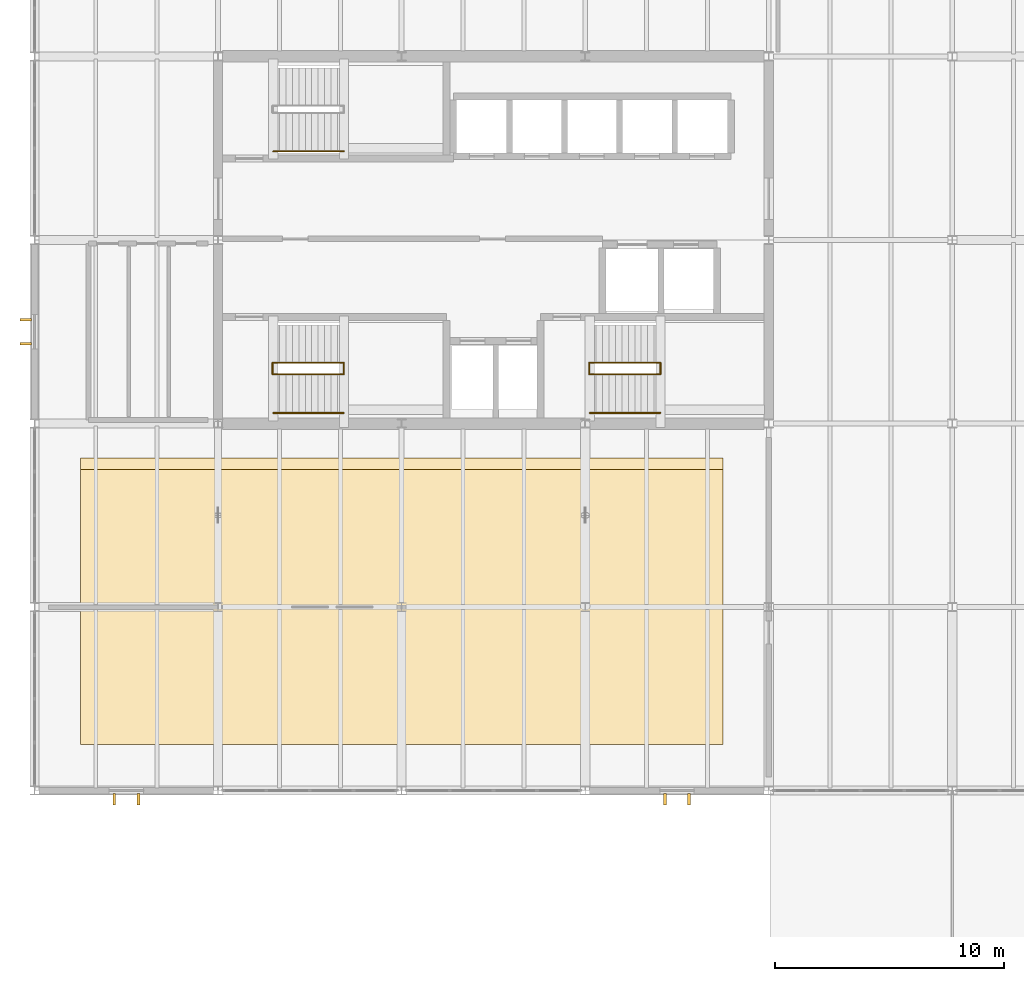
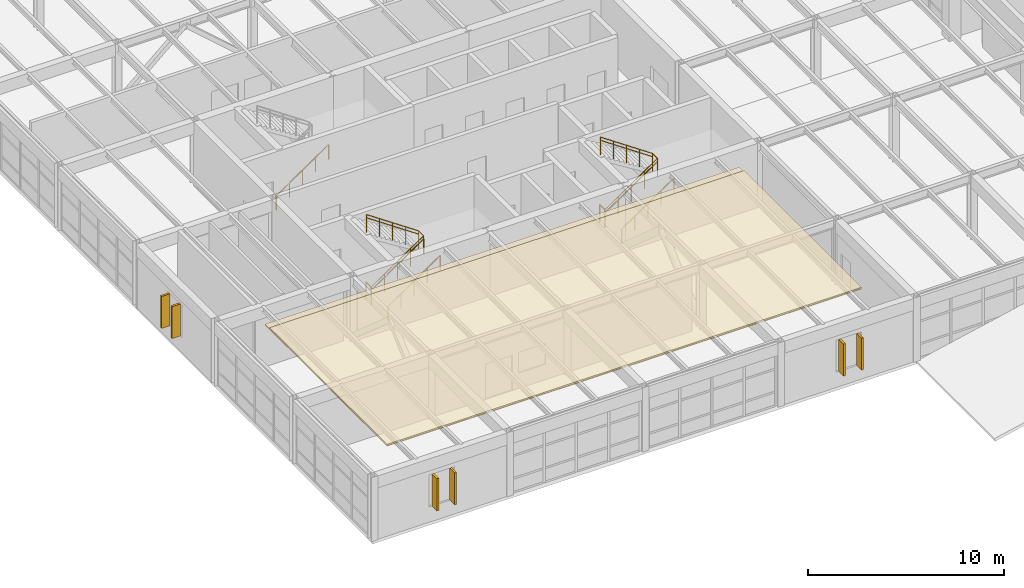
# One storey, part 43 of 48: 13 railings, 6 shading devices, 2 coverings.
"""IFC4 building model written with IfcOpenShell, lengths in metres."""

from ifc_helpers import new_model, si_unit, direction, frame, origin, origin_2d, place, context, subcontext, project, spatial, polyline, rectangle, circle, outline, extrude, material, layer, layer_set, type_object, element, save


model = new_model("IFC4")

# Units and contexts
model_context = context("Model", 3, precision=1e-05, world=origin(), true_north=direction((0.0, 1.0)))
body_context = subcontext(model_context, "Body", "Model", "MODEL_VIEW")
ifc_project = project(units=[si_unit("LENGTHUNIT", "METRE"), si_unit("AREAUNIT", "SQUARE_METRE"), si_unit("VOLUMEUNIT", "CUBIC_METRE"), si_unit("PLANEANGLEUNIT", "RADIAN"), si_unit("MASSUNIT", "GRAM", prefix="KILO")], contexts=[model_context])

# Site, building, storey
site_placement = place(None, origin())
site = spatial("IfcSite", under=ifc_project, at=site_placement, CompositionType="ELEMENT")
building_placement = place(site_placement, origin())
building = spatial("IfcBuilding", under=site, at=building_placement, Name="Varnela Railside Interchange", CompositionType="ELEMENT")
storey_placement = place(building_placement, frame((0.0, 0.0, 11.199951171875)))
storey = spatial("IfcBuildingStorey", under=building, at=storey_placement, Name="L02", CompositionType="ELEMENT", Elevation=11.199951171875)

# Coverings
ifc_material_1 = material(Name="Concrete C40 precast", Category="concrete")
ifc_layer_1 = layer(ifc_material_1, 0.050048828125)
ifc_layer_set_1 = layer_set([ifc_layer_1], Name="Concrete C40 precast")
covering_type_1 = type_object("IfcCoveringType", Name="Board-Formed Concrete Cladding Liner CV-CLD", PredefinedType="CLADDING", material=ifc_layer_set_1)
covering_1_placement = place(storey_placement, frame((0.0, 0.0, 3.8701171875)))
element("IfcCovering", 1, at=covering_1_placement, inside=storey, type_object=covering_type_1, Name="Board-Formed Concrete Cladding Liner CV-CLD", PredefinedType="CLADDING", context=body_context, shape_type="SweptSolid", body=[
    extrude(outline(polyline([(6.0, 40.0), (34.0, 40.0), (34.0, 52.5), (6.0, 52.5), (6.0, 40.0)])), origin(), (0.0, 0.0, 1.0), 0.050048828125),
])
ifc_material_2 = material(Name="Mineral wool acoustic")
ifc_layer_2 = layer(ifc_material_2, 0.080078125)
ifc_layer_set_2 = layer_set([ifc_layer_2], Name="Mineral wool acoustic")
covering_type_2 = type_object("IfcCoveringType", Name="Mineral Wool Soffit Insulation CV-INS", PredefinedType="INSULATION", material=ifc_layer_set_2)
covering_2_placement = place(storey_placement, frame((0.0, 0.0, 3.920166015625)))
element("IfcCovering", 2, at=covering_2_placement, inside=storey, type_object=covering_type_2, Name="Mineral Wool Soffit Insulation CV-INS", PredefinedType="INSULATION", context=body_context, shape_type="SweptSolid", body=[
    extrude(outline(polyline([(6.0, 40.0), (34.0, 40.0), (34.0, 52.0), (6.0, 52.0), (6.0, 40.0)])), origin(), (0.0, 0.0, 1.0), 0.079833984375),
])

# Shading devices
shading_device_type = type_object("IfcShadingDeviceType", Name="Paulista Vertical Brise-Soleil BS-01", PredefinedType="USERDEFINED", material=ifc_material_1)
for number, where, z_axis, x_axis, name in (
    (3, (32.52490234375, 37.614990234375, 0.949951171875), (0.0, 0.0, 1.0), (0.0, -1.0, 0.0), "Paulista Vertical Brise-Soleil BS-01 (L02)"),
    (4, (31.47509765625, 37.614990234375, 0.949951171875), (0.0, 0.0, 1.0), (0.0, -1.0, 0.0), "Paulista Vertical Brise-Soleil BS-01 (L02)"),
    (5, (8.52490234375, 37.614990234375, 0.949951171875), (0.0, 0.0, 1.0), (0.0, -1.0, 0.0), "Paulista Vertical Brise-Soleil BS-01 (L02)"),
    (6, (7.47509765625, 37.614990234375, 0.949951171875), (0.0, 0.0, 1.0), (0.0, -1.0, 0.0), "Paulista Vertical Brise-Soleil BS-01 (L02)"),
    (7, (3.614990234375, 57.47509765625, 0.949951171875), (0.0, 0.0, 1.0), (-1.0, 0.0, 0.0), "Paulista Vertical Brise-Soleil BS-01 (L02)"),
    (8, (3.614990234375, 58.52490234375, 0.949951171875), (0.0, 0.0, 1.0), (-1.0, 0.0, 0.0), "Paulista Vertical Brise-Soleil BS-01 (L02)"),
):
    element("IfcShadingDevice", number, at=place(storey_placement, frame(where, z_axis=z_axis, x_axis=x_axis)), inside=storey, type_object=shading_device_type, Name=name, ObjectType="FIN", PredefinedType="USERDEFINED", context=body_context, shape_type="SweptSolid", body=[
        extrude(rectangle(XDim=0.5, YDim=0.1201171875, at=origin_2d()), origin(), (0.0, 0.0, 1.0), 2.0),
    ])

# Railings
ifc_material_3 = material(Name="Steel AR 350 (350 MPa)", Category="steel")
railing_type_1 = type_object("IfcRailingType", Name="Stair & Ramp Pitch Handrail HR-01", PredefinedType="HANDRAIL", material=ifc_material_3)
railing_1_placement = place(storey_placement, frame((14.39990234375, 56.14990234375, 0.0)))
element("IfcRailing", 9, at=railing_1_placement, inside=storey, type_object=railing_type_1, Name="Stair Handrail ST-T1 Flight 1 (RL-0360)", PredefinedType="HANDRAIL", context=body_context, shape_type="SweptSolid", body=[
    extrude(circle(Radius=0.02392578125, at=origin_2d()), frame((0.0, 0.0, 0.89599609375), z_axis=(0.826221800596, 0.0, 0.563344953133), x_axis=(0.0, 1.0, 0.0)), (0.0, 0.0, 1.0), 3.72802734375),
    extrude(circle(Radius=0.02099609375, at=origin_2d()), origin(), (0.0, 0.0, 1.0), 0.871826171875),
    extrude(circle(Radius=0.02099609375, at=origin_2d()), frame((0.77001953125, 0.0, 0.52490234375)), (0.0, 0.0, 1.0), 0.871826171875),
    extrude(circle(Radius=0.02099609375, at=origin_2d()), frame((1.5400390625, 0.0, 1.050048828125)), (0.0, 0.0, 1.0), 0.871826171875),
    extrude(circle(Radius=0.02099609375, at=origin_2d()), frame((2.31005859375, 0.0, 1.5751953125)), (0.0, 0.0, 1.0), 0.871826171875),
    extrude(circle(Radius=0.02099609375, at=origin_2d()), frame((3.080078125, 0.0, 2.10009765625)), (0.0, 0.0, 1.0), 0.871826171875),
])
railing_2_placement = place(storey_placement, frame((17.47998046875, 56.64990234375, 2.10009765625)))
element("IfcRailing", 10, at=railing_2_placement, inside=storey, type_object=railing_type_1, Name="Stair Handrail ST-T1 Flight 2 (RL-0361)", PredefinedType="HANDRAIL", context=body_context, shape_type="SweptSolid", body=[
    extrude(circle(Radius=0.02392578125, at=origin_2d()), frame((0.0, 0.0, 0.89599609375), z_axis=(-0.826252282691, 0.0, 0.563300244406), x_axis=(0.0, -1.0, 0.0)), (0.0, 0.0, 1.0), 3.727783203125),
    extrude(circle(Radius=0.02099609375, at=origin_2d()), origin(), (0.0, 0.0, 1.0), 0.871826171875),
    extrude(circle(Radius=0.02099609375, at=origin_2d()), frame((-0.77001953125, 0.0, 0.52490234375)), (0.0, 0.0, 1.0), 0.871826171875),
    extrude(circle(Radius=0.02099609375, at=origin_2d()), frame((-1.5400390625, 0.0, 1.0498046875)), (0.0, 0.0, 1.0), 0.871826171875),
    extrude(circle(Radius=0.02099609375, at=origin_2d()), frame((-2.31005859375, 0.0, 1.574951171875)), (0.0, 0.0, 1.0), 0.871826171875),
    extrude(circle(Radius=0.02099609375, at=origin_2d()), frame((-3.080078125, 0.0, 2.099853515625)), (0.0, 0.0, 1.0), 0.871826171875),
])
railing_3_placement = place(storey_placement, frame((28.199951171875, 56.14990234375, 0.0)))
element("IfcRailing", 11, at=railing_3_placement, inside=storey, type_object=railing_type_1, Name="Stair Handrail ST-T2 Flight 1 (RL-0362)", PredefinedType="HANDRAIL", context=body_context, shape_type="SweptSolid", body=[
    extrude(circle(Radius=0.02392578125, at=origin_2d()), frame((0.0, 0.0, 0.89599609375), z_axis=(0.826221800596, 0.0, 0.563344953133), x_axis=(0.0, 1.0, 0.0)), (0.0, 0.0, 1.0), 3.72802734375),
    extrude(circle(Radius=0.02099609375, at=origin_2d()), origin(), (0.0, 0.0, 1.0), 0.871826171875),
    extrude(circle(Radius=0.02099609375, at=origin_2d()), frame((0.77001953125, 0.0, 0.52490234375)), (0.0, 0.0, 1.0), 0.871826171875),
    extrude(circle(Radius=0.02099609375, at=origin_2d()), frame((1.5400390625, 0.0, 1.050048828125)), (0.0, 0.0, 1.0), 0.871826171875),
    extrude(circle(Radius=0.02099609375, at=origin_2d()), frame((2.31005859375, 0.0, 1.5751953125)), (0.0, 0.0, 1.0), 0.871826171875),
    extrude(circle(Radius=0.02099609375, at=origin_2d()), frame((3.080078125, 0.0, 2.10009765625)), (0.0, 0.0, 1.0), 0.871826171875),
])
railing_4_placement = place(storey_placement, frame((31.280029296875, 56.64990234375, 2.10009765625)))
element("IfcRailing", 12, at=railing_4_placement, inside=storey, type_object=railing_type_1, Name="Stair Handrail ST-T2 Flight 2 (RL-0363)", PredefinedType="HANDRAIL", context=body_context, shape_type="SweptSolid", body=[
    extrude(circle(Radius=0.02392578125, at=origin_2d()), frame((0.0, 0.0, 0.89599609375), z_axis=(-0.826252282691, 0.0, 0.563300244406), x_axis=(0.0, -1.0, 0.0)), (0.0, 0.0, 1.0), 3.727783203125),
    extrude(circle(Radius=0.02099609375, at=origin_2d()), origin(), (0.0, 0.0, 1.0), 0.871826171875),
    extrude(circle(Radius=0.02099609375, at=origin_2d()), frame((-0.77001953125, 0.0, 0.52490234375)), (0.0, 0.0, 1.0), 0.871826171875),
    extrude(circle(Radius=0.02099609375, at=origin_2d()), frame((-1.5400390625, 0.0, 1.0498046875)), (0.0, 0.0, 1.0), 0.871826171875),
    extrude(circle(Radius=0.02099609375, at=origin_2d()), frame((-2.31005859375, 0.0, 1.574951171875)), (0.0, 0.0, 1.0), 0.871826171875),
    extrude(circle(Radius=0.02099609375, at=origin_2d()), frame((-3.080078125, 0.0, 2.099853515625)), (0.0, 0.0, 1.0), 0.871826171875),
])
railing_type_2 = type_object("IfcRailingType", Name="Stair Well & Landing Guard GR-02", PredefinedType="GUARDRAIL", material=ifc_material_3)
railing_5_placement = place(storey_placement, frame((14.3701171875, 56.14990234375, 0.0)))
element("IfcRailing", 13, at=railing_5_placement, inside=storey, type_object=railing_type_2, Name="Stair Well Slot Guard ST-T1 on L02 (RL-0343)", PredefinedType="GUARDRAIL", context=body_context, shape_type="SweptSolid", body=[
    extrude(circle(Radius=0.02392578125, at=origin_2d()), frame((0.0, 0.0, 1.09619140625), z_axis=(0.0, 1.0, 0.0), x_axis=(-1.0, 0.0, 0.0)), (0.0, 0.0, 1.0), 0.5),
    extrude(circle(Radius=0.02099609375, at=origin_2d()), origin(), (0.0, 0.0, 1.0), 1.072021484375),
    extrude(circle(Radius=0.02099609375, at=origin_2d()), frame((0.0, 0.5, 0.0)), (0.0, 0.0, 1.0), 1.072021484375),
])
railing_6_placement = place(storey_placement, frame((14.39990234375, 56.14990234375, 0.0)))
element("IfcRailing", 14, at=railing_6_placement, inside=storey, type_object=railing_type_2, Name="Stair Guard ST-T1 Half-Landing (RL-0341)", PredefinedType="GUARDRAIL", context=body_context, shape_type="SweptSolid", body=[
    extrude(circle(Radius=0.02392578125, at=origin_2d()), frame((0.0, 0.0, 1.09619140625), z_axis=(0.826221800596, 0.0, 0.563344953133), x_axis=(0.0, 1.0, 0.0)), (0.0, 0.0, 1.0), 3.72802734375),
    extrude(circle(Radius=0.02392578125, at=origin_2d()), frame((3.080078125, 0.0, 3.1962890625), z_axis=(0.0, 1.0, 0.0), x_axis=(-1.0, 0.0, 0.0)), (0.0, 0.0, 1.0), 0.5),
    extrude(circle(Radius=0.02099609375, at=origin_2d()), origin(), (0.0, 0.0, 1.0), 1.072021484375),
    extrude(circle(Radius=0.02099609375, at=origin_2d()), frame((0.77001953125, 0.0, 0.52490234375)), (0.0, 0.0, 1.0), 1.072021484375),
    extrude(circle(Radius=0.02099609375, at=origin_2d()), frame((1.5400390625, 0.0, 1.050048828125)), (0.0, 0.0, 1.0), 1.072021484375),
    extrude(circle(Radius=0.02099609375, at=origin_2d()), frame((2.31005859375, 0.0, 1.5751953125)), (0.0, 0.0, 1.0), 1.072021484375),
    extrude(circle(Radius=0.02099609375, at=origin_2d()), frame((3.080078125, 0.0, 2.10009765625)), (0.0, 0.0, 1.0), 1.072021484375),
    extrude(circle(Radius=0.02099609375, at=origin_2d()), frame((3.080078125, 0.5, 2.10009765625)), (0.0, 0.0, 1.0), 1.072021484375),
])
railing_7_placement = place(storey_placement, frame((17.47998046875, 56.64990234375, 2.10009765625)))
element("IfcRailing", 15, at=railing_7_placement, inside=storey, type_object=railing_type_2, Name="Stair Guard ST-T1 Upper Flight (RL-0342)", PredefinedType="GUARDRAIL", context=body_context, shape_type="SweptSolid", body=[
    extrude(circle(Radius=0.02392578125, at=origin_2d()), frame((0.0, 0.0, 1.09619140625), z_axis=(-0.826252282691, 0.0, 0.563300244406), x_axis=(0.0, -1.0, 0.0)), (0.0, 0.0, 1.0), 3.727783203125),
    extrude(circle(Radius=0.02099609375, at=origin_2d()), origin(), (0.0, 0.0, 1.0), 1.072021484375),
    extrude(circle(Radius=0.02099609375, at=origin_2d()), frame((-0.77001953125, 0.0, 0.52490234375)), (0.0, 0.0, 1.0), 1.072021484375),
    extrude(circle(Radius=0.02099609375, at=origin_2d()), frame((-1.5400390625, 0.0, 1.0498046875)), (0.0, 0.0, 1.0), 1.072021484375),
    extrude(circle(Radius=0.02099609375, at=origin_2d()), frame((-2.31005859375, 0.0, 1.574951171875)), (0.0, 0.0, 1.0), 1.072021484375),
    extrude(circle(Radius=0.02099609375, at=origin_2d()), frame((-3.080078125, 0.0, 2.099853515625)), (0.0, 0.0, 1.0), 1.072021484375),
])
railing_8_placement = place(storey_placement, frame((28.169921875, 56.14990234375, 0.0)))
element("IfcRailing", 16, at=railing_8_placement, inside=storey, type_object=railing_type_2, Name="Stair Well Slot Guard ST-T2 on L02 (RL-0346)", PredefinedType="GUARDRAIL", context=body_context, shape_type="SweptSolid", body=[
    extrude(circle(Radius=0.02392578125, at=origin_2d()), frame((0.0, 0.0, 1.09619140625), z_axis=(0.0, 1.0, 0.0), x_axis=(-1.0, 0.0, 0.0)), (0.0, 0.0, 1.0), 0.5),
    extrude(circle(Radius=0.02099609375, at=origin_2d()), origin(), (0.0, 0.0, 1.0), 1.072021484375),
    extrude(circle(Radius=0.02099609375, at=origin_2d()), frame((0.0, 0.5, 0.0)), (0.0, 0.0, 1.0), 1.072021484375),
])
railing_9_placement = place(storey_placement, frame((28.199951171875, 56.14990234375, 0.0)))
element("IfcRailing", 17, at=railing_9_placement, inside=storey, type_object=railing_type_2, Name="Stair Guard ST-T2 Half-Landing (RL-0344)", PredefinedType="GUARDRAIL", context=body_context, shape_type="SweptSolid", body=[
    extrude(circle(Radius=0.02392578125, at=origin_2d()), frame((0.0, 0.0, 1.09619140625), z_axis=(0.826221800596, 0.0, 0.563344953133), x_axis=(0.0, 1.0, 0.0)), (0.0, 0.0, 1.0), 3.72802734375),
    extrude(circle(Radius=0.02392578125, at=origin_2d()), frame((3.080078125, 0.0, 3.1962890625), z_axis=(0.0, 1.0, 0.0), x_axis=(-1.0, 0.0, 0.0)), (0.0, 0.0, 1.0), 0.5),
    extrude(circle(Radius=0.02099609375, at=origin_2d()), origin(), (0.0, 0.0, 1.0), 1.072021484375),
    extrude(circle(Radius=0.02099609375, at=origin_2d()), frame((0.77001953125, 0.0, 0.52490234375)), (0.0, 0.0, 1.0), 1.072021484375),
    extrude(circle(Radius=0.02099609375, at=origin_2d()), frame((1.5400390625, 0.0, 1.050048828125)), (0.0, 0.0, 1.0), 1.072021484375),
    extrude(circle(Radius=0.02099609375, at=origin_2d()), frame((2.31005859375, 0.0, 1.5751953125)), (0.0, 0.0, 1.0), 1.072021484375),
    extrude(circle(Radius=0.02099609375, at=origin_2d()), frame((3.080078125, 0.0, 2.10009765625)), (0.0, 0.0, 1.0), 1.072021484375),
    extrude(circle(Radius=0.02099609375, at=origin_2d()), frame((3.080078125, 0.5, 2.10009765625)), (0.0, 0.0, 1.0), 1.072021484375),
])
railing_10_placement = place(storey_placement, frame((31.280029296875, 56.64990234375, 2.10009765625)))
element("IfcRailing", 18, at=railing_10_placement, inside=storey, type_object=railing_type_2, Name="Stair Guard ST-T2 Upper Flight (RL-0345)", PredefinedType="GUARDRAIL", context=body_context, shape_type="SweptSolid", body=[
    extrude(circle(Radius=0.02392578125, at=origin_2d()), frame((0.0, 0.0, 1.09619140625), z_axis=(-0.826252282691, 0.0, 0.563300244406), x_axis=(0.0, -1.0, 0.0)), (0.0, 0.0, 1.0), 3.727783203125),
    extrude(circle(Radius=0.02099609375, at=origin_2d()), origin(), (0.0, 0.0, 1.0), 1.072021484375),
    extrude(circle(Radius=0.02099609375, at=origin_2d()), frame((-0.77001953125, 0.0, 0.52490234375)), (0.0, 0.0, 1.0), 1.072021484375),
    extrude(circle(Radius=0.02099609375, at=origin_2d()), frame((-1.5400390625, 0.0, 1.0498046875)), (0.0, 0.0, 1.0), 1.072021484375),
    extrude(circle(Radius=0.02099609375, at=origin_2d()), frame((-2.31005859375, 0.0, 1.574951171875)), (0.0, 0.0, 1.0), 1.072021484375),
    extrude(circle(Radius=0.02099609375, at=origin_2d()), frame((-3.080078125, 0.0, 2.099853515625)), (0.0, 0.0, 1.0), 1.072021484375),
])
railing_type_3 = type_object("IfcRailingType", Name="Wall-Mounted Stair Handrail HR-02", PredefinedType="HANDRAIL", material=ifc_material_3)
for number, where, name in (
    (19, (14.39990234375, 54.4599609375, 0.0), "Wall Handrail ST-T1 Flight 1 (RL-0370)"),
    (20, (28.199951171875, 54.4599609375, 0.0), "Wall Handrail ST-T2 Flight 1 (RL-0371)"),
    (21, (14.39990234375, 65.860107421875, 0.0), "Wall Handrail ST-T3 Flight 1 (RL-0372)"),
):
    element("IfcRailing", number, at=place(storey_placement, frame(where)), inside=storey, type_object=railing_type_3, Name=name, PredefinedType="HANDRAIL", context=body_context, shape_type="SweptSolid", body=[
        extrude(circle(Radius=0.02392578125, at=origin_2d()), frame((0.0, 0.0, 0.89599609375), z_axis=(0.826221800596, 0.0, 0.563344953133), x_axis=(0.0, 1.0, 0.0)), (0.0, 0.0, 1.0), 3.72802734375),
        extrude(circle(Radius=0.02099609375, at=origin_2d()), origin(), (0.0, 0.0, 1.0), 0.871826171875),
        extrude(circle(Radius=0.02099609375, at=origin_2d()), frame((0.77001953125, 0.0, 0.52490234375)), (0.0, 0.0, 1.0), 0.871826171875),
        extrude(circle(Radius=0.02099609375, at=origin_2d()), frame((1.5400390625, 0.0, 1.050048828125)), (0.0, 0.0, 1.0), 0.871826171875),
        extrude(circle(Radius=0.02099609375, at=origin_2d()), frame((2.31005859375, 0.0, 1.5751953125)), (0.0, 0.0, 1.0), 0.871826171875),
        extrude(circle(Radius=0.02099609375, at=origin_2d()), frame((3.080078125, 0.0, 2.10009765625)), (0.0, 0.0, 1.0), 0.871826171875),
    ])

save(model, "model.ifc")
